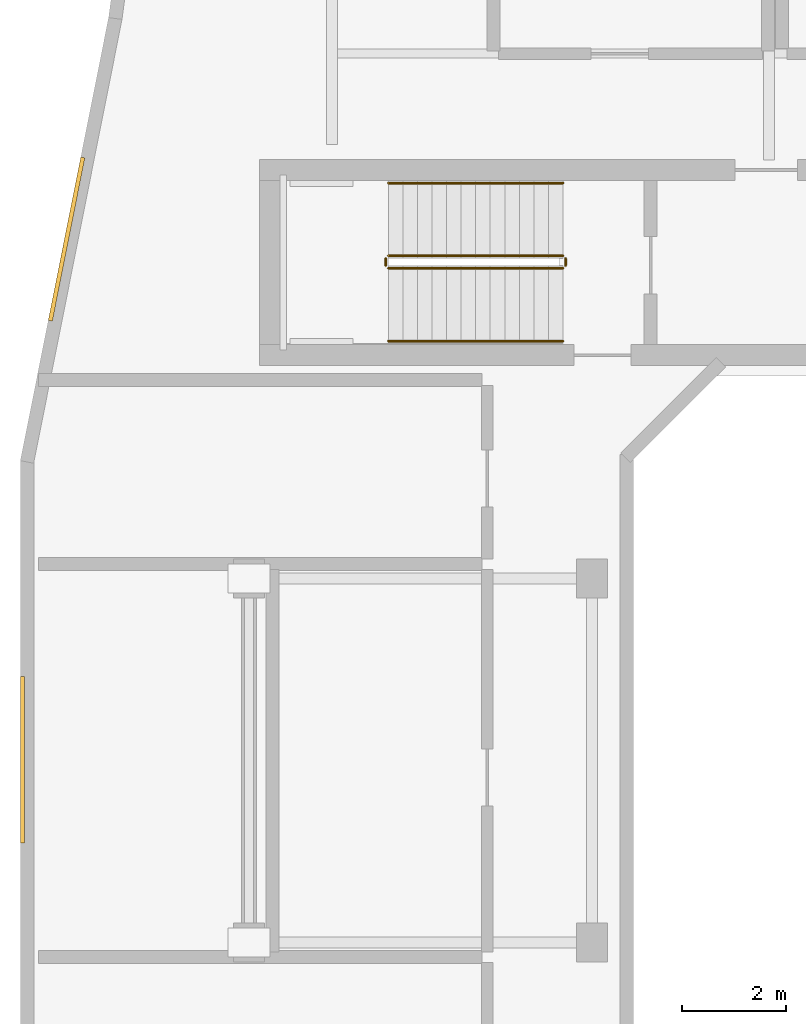
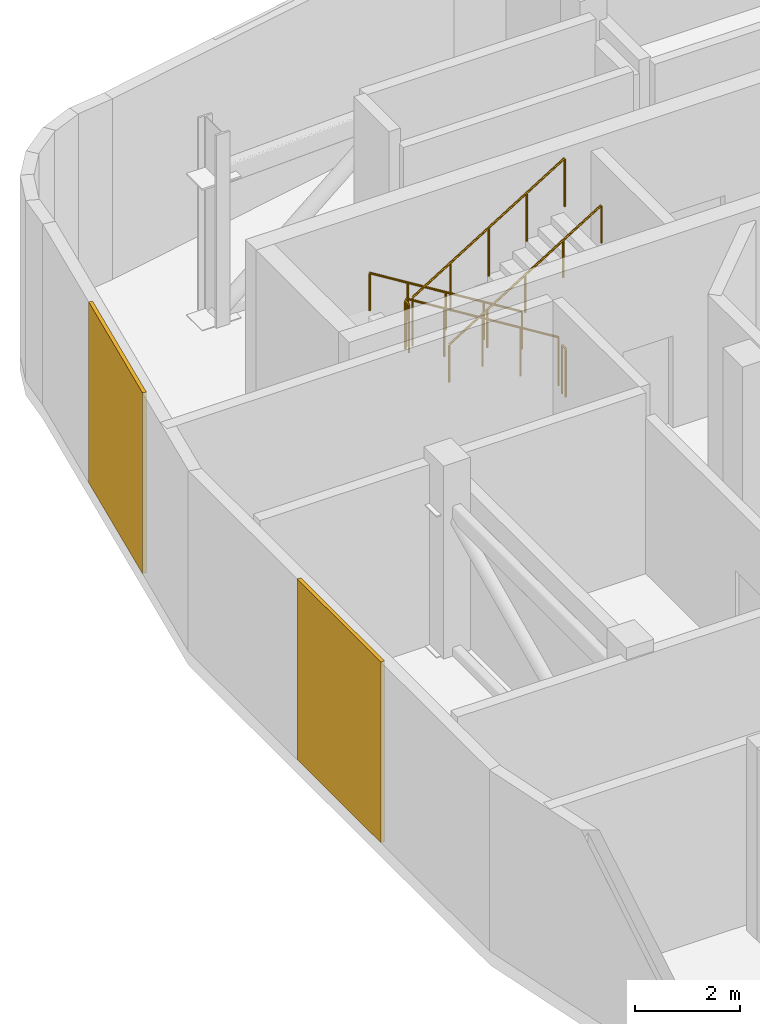
# One storey, part 8 of 9: 6 railings, 2 coverings.
"""IFC4 building model written with IfcOpenShell, lengths in metres."""

import ifcopenshell
import ifcopenshell.guid

model = None  # the IFC model being written
_history = None  # IfcOwnerHistory: only IFC2X3 demands one
_inside = {}  # id of a spatial element -> (the spatial element, [elements in it])
_under = {}  # id of a project, library or spatial element -> (it, [spatial elements below it])
_declared = {}  # id of a project -> (the project, [libraries it declares])
_typed = {}  # id of a type object -> (the type object, [elements of that type])
_made_of = {}  # id of a material, layer set ... -> (it, [elements and type objects made of it])


def new_model(schema):
    """Start an empty IFC model of exactly this schema.

    Asked for "IFC4X3", IfcOpenShell would pick the latest addendum, in which some entities
    have other attributes; the version numbers below select the first issue.
    IFC2X3 requires an IfcOwnerHistory on every rooted entity: one is made here for all.
    """
    global model, _history
    if schema == "IFC4X3":
        model = ifcopenshell.file(schema_version=(4, 3, 0, 0))
    else:
        model = ifcopenshell.file(schema=schema)
    _inside.clear()
    _under.clear()
    _declared.clear()
    _typed.clear()
    _made_of.clear()
    _history = None
    if model.schema == "IFC2X3":
        org = make("IfcOrganization", Name="unknown")
        user = make(
            "IfcPersonAndOrganization",
            ThePerson=make("IfcPerson", FamilyName="unknown"),
            TheOrganization=org,
        )
        app = make(
            "IfcApplication",
            ApplicationDeveloper=org,
            Version="unknown",
            ApplicationFullName="unknown",
            ApplicationIdentifier="unknown",
        )
        _history = make(
            "IfcOwnerHistory",
            OwningUser=user,
            OwningApplication=app,
            ChangeAction="ADDED",
            CreationDate=0,
        )
    return model


def make(cls, **values):
    """One entity of the class cls with the attributes given. An attribute that is None is left unset."""
    return model.create_entity(
        cls, **{name: value for name, value in values.items() if value is not None}
    )


def rooted(cls, **values):
    """An entity with a GlobalId (a new one), such as an element, a storey or a relation."""
    return make(cls, GlobalId=ifcopenshell.guid.new(), OwnerHistory=_history, **values)


def si_unit(unit_type, name, prefix=None):
    """IfcSIUnit, for example si_unit("LENGTHUNIT", "METRE", prefix="MILLI")."""
    return make("IfcSIUnit", UnitType=unit_type, Prefix=prefix, Name=name)


def derived_unit(unit_type, elements):
    """IfcDerivedUnit: a product of units, each with its exponent."""
    return make(
        "IfcDerivedUnit",
        Elements=[
            make("IfcDerivedUnitElement", Unit=unit, Exponent=power)
            for unit, power in elements
        ],
        UnitType=unit_type,
    )


def assignment(units):
    """IfcUnitAssignment: the units of a project."""
    return None if units is None else make("IfcUnitAssignment", Units=units)


def point(xyz):
    """IfcCartesianPoint."""
    return None if xyz is None else make("IfcCartesianPoint", Coordinates=xyz)


def direction(xyz):
    """IfcDirection."""
    return None if xyz is None else make("IfcDirection", DirectionRatios=xyz)


def frame(location, z_axis=None, x_axis=None):
    """IfcAxis2Placement3D, a coordinate frame: its origin and axes. An axis left out is left unset."""
    return make(
        "IfcAxis2Placement3D",
        Location=point(location),
        Axis=direction(z_axis),
        RefDirection=direction(x_axis),
    )


def frame_2d(location, x_axis=None):
    """IfcAxis2Placement2D, a coordinate frame in the plane: its origin and x axis."""
    return make(
        "IfcAxis2Placement2D", Location=point(location), RefDirection=direction(x_axis)
    )


def origin():
    """The frame at (0, 0, 0) with its axes left unset."""
    return frame((0.0, 0.0, 0.0))


def origin_2d():
    """The frame at (0, 0) in the plane with its x axis left unset."""
    return frame_2d((0.0, 0.0))


def place(relative_to, where):
    """IfcLocalPlacement: puts the frame where relative to a parent placement (None: the world)."""
    return make(
        "IfcLocalPlacement", PlacementRelTo=relative_to, RelativePlacement=where
    )


def context(
    kind, dimensions, precision=None, world=None, true_north=None, identifier=None
):
    """IfcGeometricRepresentationContext, for example the 3D "Model" context."""
    return make(
        "IfcGeometricRepresentationContext",
        ContextIdentifier=identifier,
        ContextType=kind,
        CoordinateSpaceDimension=dimensions,
        Precision=precision,
        WorldCoordinateSystem=world,
        TrueNorth=true_north,
    )


def subcontext(parent, identifier, kind, view, scale=None):
    """IfcGeometricRepresentationSubContext, for example "Body" below "Model"."""
    return make(
        "IfcGeometricRepresentationSubContext",
        ContextIdentifier=identifier,
        ContextType=kind,
        ParentContext=parent,
        TargetScale=scale,
        TargetView=view,
    )


def project(units=None, contexts=None):
    """IfcProject with its units and contexts."""
    return rooted(
        "IfcProject",
        Name="project",
        RepresentationContexts=contexts,
        UnitsInContext=assignment(units),
    )


def spatial(cls, under=None, at=None, **own):
    """A site, building, storey or space (cls), placed at a placement, below another one or the project."""
    s = rooted(cls, ObjectPlacement=at, **own)
    if under is not None:
        _under.setdefault(under.id(), (under, []))[1].append(s)
    return s


def profile(cls, at=None, kind="AREA", **sizes):
    """A parametric profile (cls). Its sizes go by their IFC names, for example OverallWidth=200.0."""
    return make(cls, ProfileType=kind, Position=at, **sizes)


def rectangle(**sizes):
    """IfcRectangleProfileDef."""
    return profile("IfcRectangleProfileDef", **sizes)


def circle(**sizes):
    """IfcCircleProfileDef."""
    return profile("IfcCircleProfileDef", **sizes)


def extrude(swept, where, along, depth):
    """IfcExtrudedAreaSolid: the profile swept, set in the frame where, extruded along a direction by depth."""
    return make(
        "IfcExtrudedAreaSolid",
        SweptArea=swept,
        Position=where,
        ExtrudedDirection=direction(along),
        Depth=depth,
    )


def shape(context_of_items, identifier, shape_type, items):
    """IfcShapeRepresentation: the items that make up one representation, for example the "Body"."""
    return make(
        "IfcShapeRepresentation",
        ContextOfItems=context_of_items,
        RepresentationIdentifier=identifier,
        RepresentationType=shape_type,
        Items=items,
    )


def material(Name=None, Category=None):
    """IfcMaterial."""
    return make("IfcMaterial", Name=Name, Category=Category)


def layer(
    of_material, thickness, ventilated=None, Name=None, Category=None, Priority=None
):
    """IfcMaterialLayer: one layer of a wall or slab, of a material (None: an air gap)."""
    return make(
        "IfcMaterialLayer",
        Material=of_material,
        LayerThickness=thickness,
        IsVentilated=ventilated,
        Name=Name,
        Category=Category,
        Priority=Priority,
    )


def layer_set(layers, Name=None):
    """IfcMaterialLayerSet."""
    return make("IfcMaterialLayerSet", MaterialLayers=layers, LayerSetName=Name)


def made_of(thing, what):
    """Note that an element or type object is made of a material, layer set ...; save() writes the relation."""
    if what is not None:
        _made_of.setdefault(what.id(), (what, []))[1].append(thing)
    return thing


def type_object(cls, material=None, **own):
    """A type object (cls), such as IfcWallType, which elements share."""
    return made_of(rooted(cls, **own), material)


def element(
    cls,
    number,
    at=None,
    inside=None,
    cuts=None,
    type_object=None,
    material=None,
    context=None,
    identifier="Body",
    shape_type=None,
    held_by="IfcProductDefinitionShape",
    body=None,
    shapes=None,
    **own,
):
    """One element of the class cls, such as IfcWall. Its Tag is "e" and its number.

    at: its placement. inside: the storey or other place that contains it. cuts: it is an
    opening in that element (IfcRelVoidsElement). A single representation is given by context,
    identifier, shape_type and body (its items); several are given by shapes. held_by: the class
    of the entity that holds the representations. save() writes the other relations.
    """
    e = rooted(cls, Tag="e%d" % number, ObjectPlacement=at, **own)
    if body is not None:
        shapes = [shape(context, identifier, shape_type, body)]
    if shapes is not None:
        e.Representation = make(held_by, Representations=shapes)
    if inside is not None:
        _inside.setdefault(inside.id(), (inside, []))[1].append(e)
    if cuts is not None:
        rooted(
            "IfcRelVoidsElement", RelatingBuildingElement=cuts, RelatedOpeningElement=e
        )
    if type_object is not None:
        _typed.setdefault(type_object.id(), (type_object, []))[1].append(e)
    return made_of(e, material)


def aggregate(whole, parts):
    """IfcRelAggregates: a whole, such as a stair, and the parts it consists of."""
    return rooted("IfcRelAggregates", RelatingObject=whole, RelatedObjects=parts)


def save(model, path):
    """Write the relations noted so far, then the file.

    IfcRelAggregates (storeys below a building ...), IfcRelContainedInSpatialStructure (elements
    in a storey), IfcRelDefinesByType, IfcRelAssociatesMaterial and IfcRelDeclares: one each for
    every whole, place, type object, material and project.
    """
    for whole, parts in _under.values():
        aggregate(whole, parts)
    for where, things in _inside.values():
        rooted(
            "IfcRelContainedInSpatialStructure",
            RelatedElements=things,
            RelatingStructure=where,
        )
    for kind, things in _typed.values():
        rooted("IfcRelDefinesByType", RelatedObjects=things, RelatingType=kind)
    for what, things in _made_of.values():
        rooted("IfcRelAssociatesMaterial", RelatedObjects=things, RelatingMaterial=what)
    for by, libraries in _declared.values():
        rooted("IfcRelDeclares", RelatingContext=by, RelatedDefinitions=libraries)
    model.write(path)


model = new_model("IFC4")

# Units and contexts
model_context = context("Model", 3, precision=1e-05, world=origin(), true_north=direction((0.0, 1.0)))
body_context = subcontext(model_context, "Body", "Model", "MODEL_VIEW")
ifc_project = project(units=[si_unit("LENGTHUNIT", "METRE"), si_unit("AREAUNIT", "SQUARE_METRE"), si_unit("VOLUMEUNIT", "CUBIC_METRE"), si_unit("PLANEANGLEUNIT", "RADIAN"), si_unit("MASSUNIT", "GRAM", prefix="KILO"), derived_unit("THERMALTRANSMITTANCEUNIT", [(si_unit("POWERUNIT", "WATT"), 1), (si_unit("LENGTHUNIT", "METRE"), -2), (si_unit("THERMODYNAMICTEMPERATUREUNIT", "KELVIN"), -1)])], contexts=[model_context])

# Site, building, storey
site_placement = place(None, origin())
site = spatial("IfcSite", under=ifc_project, at=site_placement, CompositionType="ELEMENT")
building_placement = place(site_placement, origin())
building = spatial("IfcBuilding", under=site, at=building_placement, Name="Kivonza Crest Hotel", CompositionType="ELEMENT")
storey_placement = place(building_placement, frame((0.0, 0.0, 238.699951171875)))
storey = spatial("IfcBuildingStorey", under=building, at=storey_placement, Name="L65", CompositionType="ELEMENT", Elevation=238.699951171875)

# Coverings
ifc_material_1 = material(Name="Anodised bronze aluminium acoustic louvre cladding", Category="aluminium")
ifc_layer = layer(ifc_material_1, 0.080078125)
ifc_layer_set = layer_set([ifc_layer], Name="Anodised bronze aluminium acoustic louvre cladding")
covering_type = type_object("IfcCoveringType", Name="CV-CLAD-80", PredefinedType="CLADDING", material=ifc_layer_set)
for number, where, z_axis, x_axis, name in (
    (1, (2.69091796875, 35.031005859375, 0.0), (0.0, 0.0, 1.0), (-0.195261498368, -0.980751215781, 0.0), "L65 T1 terracotta baguette and louvre screen 34"),
    (2, (1.840087890625, 25.01708984375, 0.0), (0.0, 0.0, 1.0), (0.0, -1.0, 0.0), "L65 T1 terracotta baguette and louvre screen 35"),
):
    element("IfcCovering", number, at=place(storey_placement, frame(where, z_axis=z_axis, x_axis=x_axis)), inside=storey, type_object=covering_type, Name=name, PredefinedType="CLADDING", context=body_context, shape_type="SweptSolid", body=[
        extrude(rectangle(XDim=3.199951171875, YDim=0.080078125, at=origin_2d()), origin(), (0.0, 0.0, 1.0), 4.219970703125),
    ])

# Railings
ifc_material_2 = material(Name="Brushed stainless steel handrail", Category="steel")
railing_type_1 = type_object("IfcRailingType", Name="RL-HAND-900", PredefinedType="HANDRAIL", material=ifc_material_2)
railing_1_placement = place(storey_placement, frame((12.239990234375, 36.110107421875, 0.173095703125)))
element("IfcRailing", 3, at=railing_1_placement, inside=storey, type_object=railing_type_1, Name="L65 ST-T1-N stair handrail 1", PredefinedType="HANDRAIL", context=body_context, shape_type="SweptSolid", body=[
    extrude(circle(Radius=0.02392578125, at=origin_2d()), frame((0.0, 0.0, 0.8759765625), z_axis=(-0.850623216509, 0.0, 0.525775754039), x_axis=(0.0, -1.0, 0.0)), (0.0, 0.0, 1.0), 3.9501953125),
    extrude(circle(Radius=0.02099609375, at=origin_2d()), origin(), (0.0, 0.0, 1.0), 0.851806640625),
    extrude(circle(Radius=0.02099609375, at=origin_2d()), frame((-0.840087890625, 0.0, 0.519287109375)), (0.0, 0.0, 1.0), 0.851806640625),
    extrude(circle(Radius=0.02099609375, at=origin_2d()), frame((-1.68017578125, 0.0, 1.03857421875)), (0.0, 0.0, 1.0), 0.851806640625),
    extrude(circle(Radius=0.02099609375, at=origin_2d()), frame((-2.52001953125, 0.0, 1.5576171875)), (0.0, 0.0, 1.0), 0.851806640625),
    extrude(circle(Radius=0.02099609375, at=origin_2d()), frame((-3.360107421875, 0.0, 2.076904296875)), (0.0, 0.0, 1.0), 0.851806640625),
])
railing_2_placement = place(storey_placement, frame((8.8798828125, 33.070068359375, 2.423095703125)))
element("IfcRailing", 4, at=railing_2_placement, inside=storey, type_object=railing_type_1, Name="L65 ST-T1-N stair handrail 2", PredefinedType="HANDRAIL", context=body_context, shape_type="SweptSolid", body=[
    extrude(circle(Radius=0.02392578125, at=origin_2d()), frame((0.0, 0.0, 0.8759765625), z_axis=(0.850623216509, 0.0, 0.525775754039), x_axis=(0.0, 1.0, 0.0)), (0.0, 0.0, 1.0), 3.9501953125),
    extrude(circle(Radius=0.02099609375, at=origin_2d()), origin(), (0.0, 0.0, 1.0), 0.851806640625),
    extrude(circle(Radius=0.02099609375, at=origin_2d()), frame((0.840087890625, 0.0, 0.519287109375)), (0.0, 0.0, 1.0), 0.851806640625),
    extrude(circle(Radius=0.02099609375, at=origin_2d()), frame((1.68017578125, 0.0, 1.03857421875)), (0.0, 0.0, 1.0), 0.851806640625),
    extrude(circle(Radius=0.02099609375, at=origin_2d()), frame((2.52001953125, 0.0, 1.5576171875)), (0.0, 0.0, 1.0), 0.851806640625),
    extrude(circle(Radius=0.02099609375, at=origin_2d()), frame((3.360107421875, 0.0, 2.076904296875)), (0.0, 0.0, 1.0), 0.851806640625),
])
ifc_material_3 = material(Name="Painted steel balustrade", Category="steel")
railing_type_2 = type_object("IfcRailingType", Name="RL-STAIR-1150", PredefinedType="BALUSTRADE", material=ifc_material_3)
railing_3_placement = place(storey_placement, frame((12.239990234375, 34.7099609375, 0.173095703125)))
element("IfcRailing", 5, at=railing_3_placement, inside=storey, type_object=railing_type_2, Name="L65 ST-T1-N stair guard 1", PredefinedType="BALUSTRADE", context=body_context, shape_type="SweptSolid", body=[
    extrude(circle(Radius=0.02392578125, at=origin_2d()), frame((0.0, 0.0, 1.1259765625), z_axis=(-0.850623216509, 0.0, 0.525775754039), x_axis=(0.0, -1.0, 0.0)), (0.0, 0.0, 1.0), 3.9501953125),
    extrude(circle(Radius=0.02099609375, at=origin_2d()), origin(), (0.0, 0.0, 1.0), 1.101806640625),
    extrude(circle(Radius=0.02099609375, at=origin_2d()), frame((-0.840087890625, 0.0, 0.519287109375)), (0.0, 0.0, 1.0), 1.101806640625),
    extrude(circle(Radius=0.02099609375, at=origin_2d()), frame((-1.68017578125, 0.0, 1.03857421875)), (0.0, 0.0, 1.0), 1.101806640625),
    extrude(circle(Radius=0.02099609375, at=origin_2d()), frame((-2.52001953125, 0.0, 1.5576171875)), (0.0, 0.0, 1.0), 1.101806640625),
    extrude(circle(Radius=0.02099609375, at=origin_2d()), frame((-3.360107421875, 0.0, 2.076904296875)), (0.0, 0.0, 1.0), 1.101806640625),
])
railing_4_placement = place(storey_placement, frame((8.830078125, 34.659912109375, 2.25)))
element("IfcRailing", 6, at=railing_4_placement, inside=storey, type_object=railing_type_2, Name="L65 ST-T1-N stair guard 2", PredefinedType="BALUSTRADE", context=body_context, shape_type="SweptSolid", body=[
    extrude(circle(Radius=0.02392578125, at=origin_2d()), frame((0.0, 0.0, 1.1259765625), z_axis=(0.0, -1.0, 0.0), x_axis=(1.0, 0.0, 0.0)), (0.0, 0.0, 1.0), 0.139892578125),
    extrude(circle(Radius=0.02099609375, at=origin_2d()), origin(), (0.0, 0.0, 1.0), 1.101806640625),
    extrude(circle(Radius=0.02099609375, at=origin_2d()), frame((0.0, -0.139892578125, 0.0)), (0.0, 0.0, 1.0), 1.101806640625),
])
railing_5_placement = place(storey_placement, frame((8.8798828125, 34.469970703125, 2.423095703125)))
element("IfcRailing", 7, at=railing_5_placement, inside=storey, type_object=railing_type_2, Name="L65 ST-T1-N stair guard 3", PredefinedType="BALUSTRADE", context=body_context, shape_type="SweptSolid", body=[
    extrude(circle(Radius=0.02392578125, at=origin_2d()), frame((0.0, 0.0, 1.1259765625), z_axis=(0.850623216509, 0.0, 0.525775754039), x_axis=(0.0, 1.0, 0.0)), (0.0, 0.0, 1.0), 3.9501953125),
    extrude(circle(Radius=0.02099609375, at=origin_2d()), origin(), (0.0, 0.0, 1.0), 1.101806640625),
    extrude(circle(Radius=0.02099609375, at=origin_2d()), frame((0.840087890625, 0.0, 0.519287109375)), (0.0, 0.0, 1.0), 1.101806640625),
    extrude(circle(Radius=0.02099609375, at=origin_2d()), frame((1.68017578125, 0.0, 1.03857421875)), (0.0, 0.0, 1.0), 1.101806640625),
    extrude(circle(Radius=0.02099609375, at=origin_2d()), frame((2.52001953125, 0.0, 1.5576171875)), (0.0, 0.0, 1.0), 1.101806640625),
    extrude(circle(Radius=0.02099609375, at=origin_2d()), frame((3.360107421875, 0.0, 2.076904296875)), (0.0, 0.0, 1.0), 1.101806640625),
])
railing_6_placement = place(storey_placement, frame((12.2900390625, 34.659912109375, 0.0)))
element("IfcRailing", 8, at=railing_6_placement, inside=storey, type_object=railing_type_2, Name="L65 ST-T1-N stair guard 4", PredefinedType="BALUSTRADE", context=body_context, shape_type="SweptSolid", body=[
    extrude(circle(Radius=0.02392578125, at=origin_2d()), frame((0.0, 0.0, 1.1259765625), z_axis=(0.0, -1.0, 0.0), x_axis=(1.0, 0.0, 0.0)), (0.0, 0.0, 1.0), 0.139892578125),
    extrude(circle(Radius=0.02099609375, at=origin_2d()), origin(), (0.0, 0.0, 1.0), 1.101806640625),
    extrude(circle(Radius=0.02099609375, at=origin_2d()), frame((0.0, -0.139892578125, 0.0)), (0.0, 0.0, 1.0), 1.101806640625),
])

save(model, "model.ifc")
